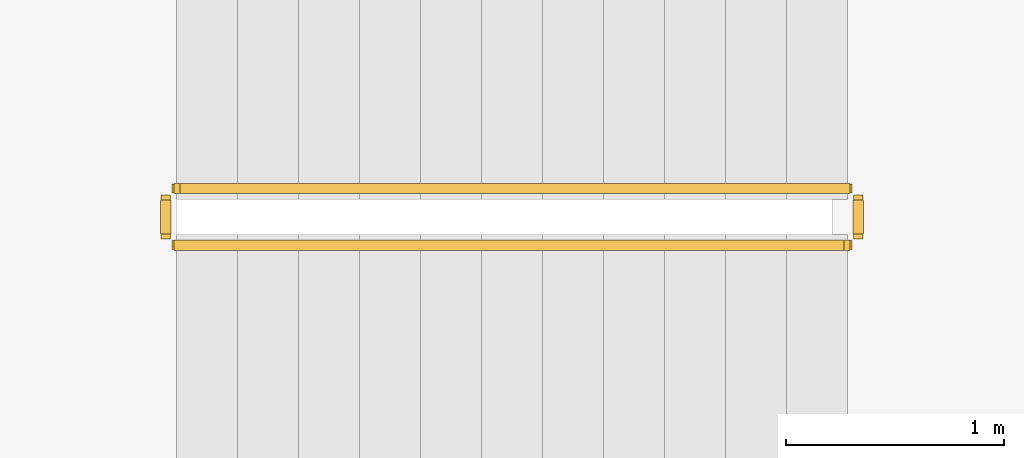
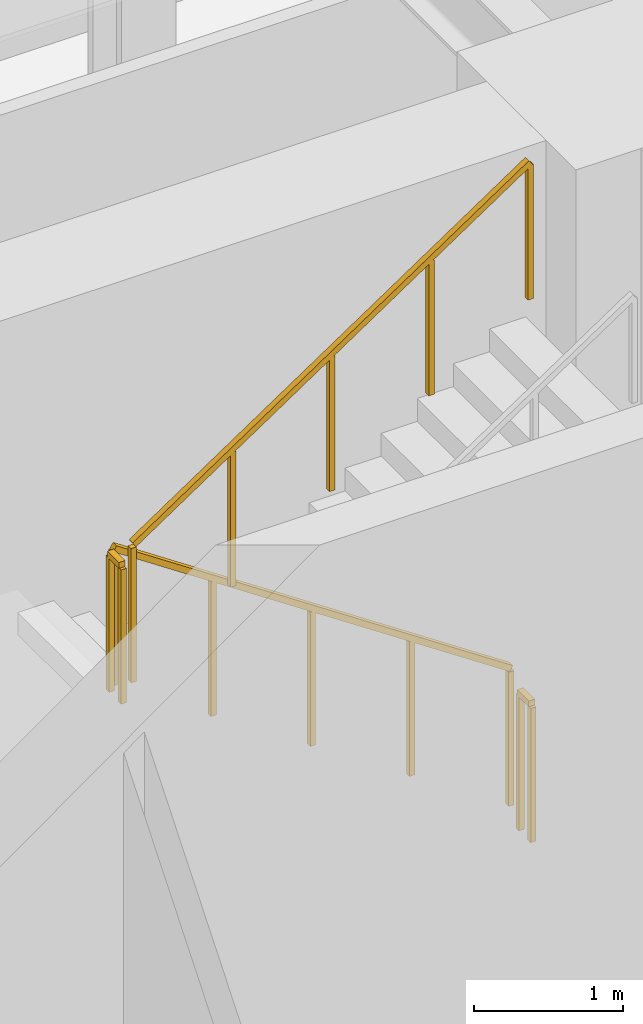
# One storey, part 11 of 14: 4 railings.
"""IFC4 building model written with IfcOpenShell, lengths in metres."""

from ifc_helpers import new_model, si_unit, direction, frame, origin, origin_2d, place, context, subcontext, project, spatial, rectangle, extrude, material, type_object, element, save


model = new_model("IFC4")

# Units and contexts
model_context = context("Model", 3, precision=1e-05, world=origin(), true_north=direction((0.0, 1.0)))
body_context = subcontext(model_context, "Body", "Model", "MODEL_VIEW")
ifc_project = project(units=[si_unit("LENGTHUNIT", "METRE"), si_unit("AREAUNIT", "SQUARE_METRE"), si_unit("VOLUMEUNIT", "CUBIC_METRE"), si_unit("PLANEANGLEUNIT", "RADIAN"), si_unit("MASSUNIT", "GRAM", prefix="KILO")], contexts=[model_context])

# Site, building, storey
site_placement = place(None, origin())
site = spatial("IfcSite", under=ifc_project, at=site_placement, CompositionType="ELEMENT")
building_placement = place(site_placement, origin())
building = spatial("IfcBuilding", under=site, at=building_placement, Name="Zarnavel Station Tower", CompositionType="ELEMENT")
storey_placement = place(building_placement, frame((0.0, 0.0, 10.39990234375)))
storey = spatial("IfcBuildingStorey", under=building, at=storey_placement, Name="L03", CompositionType="ELEMENT", Elevation=10.39990234375)

# Railings
ifc_material = material(Name="Painted Steel S355J2 Balustrade", Category="steel")
railing_type = type_object("IfcRailingType", Name="GR_INT_1150", PredefinedType="GUARDRAIL", material=ifc_material)
railing_1_placement = place(storey_placement, frame((19.47998046875, 35.3701171875, 0.1875)))
element("IfcRailing", 1, at=railing_1_placement, inside=storey, type_object=railing_type, Name="L03 ST1 stair guard 1", PredefinedType="GUARDRAIL", context=body_context, shape_type="SweptSolid", body=[
    extrude(rectangle(XDim=0.048095703125, YDim=0.048095703125, at=origin_2d()), frame((-0.001708984375, 0.0, 1.126953125), z_axis=(-0.830913701846, 0.0, 0.55640131208), x_axis=(0.0, -1.0, 0.0)), (0.0, 0.0, 1.0), 3.702880859375),
    extrude(rectangle(XDim=0.0419921875, YDim=0.0419921875, at=origin_2d()), origin(), (0.0, 0.0, 1.0), 1.101806640625),
    extrude(rectangle(XDim=0.0419921875, YDim=0.0419921875, at=origin_2d()), frame((-0.77001953125, 0.0, 0.515625)), (0.0, 0.0, 1.0), 1.101806640625),
    extrude(rectangle(XDim=0.0419921875, YDim=0.0419921875, at=origin_2d()), frame((-1.5400390625, 0.0, 1.03125)), (0.0, 0.0, 1.0), 1.101806640625),
    extrude(rectangle(XDim=0.0419921875, YDim=0.0419921875, at=origin_2d()), frame((-2.31005859375, 0.0, 1.546875)), (0.0, 0.0, 1.0), 1.101806640625),
    extrude(rectangle(XDim=0.0419921875, YDim=0.0419921875, at=origin_2d()), frame((-3.080078125, 0.0, 2.0625)), (0.0, 0.0, 1.0), 1.101806640625),
])
railing_2_placement = place(storey_placement, frame((16.35009765625, 35.320068359375, 2.25)))
element("IfcRailing", 2, at=railing_2_placement, inside=storey, type_object=railing_type, Name="L03 ST1 stair guard 2", PredefinedType="GUARDRAIL", context=body_context, shape_type="SweptSolid", body=[
    extrude(rectangle(XDim=0.048095703125, YDim=0.048095703125, at=origin_2d()), frame((0.0, -0.001953125, 1.1259765625), z_axis=(0.0, -1.0, 0.0), x_axis=(1.0, 0.0, 0.0)), (0.0, 0.0, 1.0), 0.15625),
    extrude(rectangle(XDim=0.0419921875, YDim=0.0419921875, at=origin_2d()), origin(), (0.0, 0.0, 1.0), 1.101806640625),
    extrude(rectangle(XDim=0.0419921875, YDim=0.0419921875, at=origin_2d()), frame((0.0, -0.16015625, 0.0)), (0.0, 0.0, 1.0), 1.101806640625),
])
railing_3_placement = place(storey_placement, frame((16.39990234375, 35.110107421875, 2.4375)))
element("IfcRailing", 3, at=railing_3_placement, inside=storey, type_object=railing_type, Name="L03 ST1 stair guard 3", PredefinedType="GUARDRAIL", context=body_context, shape_type="SweptSolid", body=[
    extrude(rectangle(XDim=0.048095703125, YDim=0.048095703125, at=origin_2d()), frame((0.001708984375, 0.0, 1.126953125), z_axis=(0.830913701846, 0.0, 0.55640131208), x_axis=(0.0, 1.0, 0.0)), (0.0, 0.0, 1.0), 3.702880859375),
    extrude(rectangle(XDim=0.0419921875, YDim=0.0419921875, at=origin_2d()), origin(), (0.0, 0.0, 1.0), 1.101806640625),
    extrude(rectangle(XDim=0.0419921875, YDim=0.0419921875, at=origin_2d()), frame((0.77001953125, 0.0, 0.515625)), (0.0, 0.0, 1.0), 1.101806640625),
    extrude(rectangle(XDim=0.0419921875, YDim=0.0419921875, at=origin_2d()), frame((1.5400390625, 0.0, 1.03125)), (0.0, 0.0, 1.0), 1.101806640625),
    extrude(rectangle(XDim=0.0419921875, YDim=0.0419921875, at=origin_2d()), frame((2.31005859375, 0.0, 1.546875)), (0.0, 0.0, 1.0), 1.101806640625),
    extrude(rectangle(XDim=0.0419921875, YDim=0.0419921875, at=origin_2d()), frame((3.080078125, 0.0, 2.0625)), (0.0, 0.0, 1.0), 1.101806640625),
])
railing_4_placement = place(storey_placement, frame((19.530029296875, 35.320068359375, 0.0)))
element("IfcRailing", 4, at=railing_4_placement, inside=storey, type_object=railing_type, Name="L03 ST1 stair guard 4", PredefinedType="GUARDRAIL", context=body_context, shape_type="SweptSolid", body=[
    extrude(rectangle(XDim=0.048095703125, YDim=0.048095703125, at=origin_2d()), frame((0.0, -0.001953125, 1.1259765625), z_axis=(0.0, -1.0, 0.0), x_axis=(1.0, 0.0, 0.0)), (0.0, 0.0, 1.0), 0.15625),
    extrude(rectangle(XDim=0.0419921875, YDim=0.0419921875, at=origin_2d()), origin(), (0.0, 0.0, 1.0), 1.101806640625),
    extrude(rectangle(XDim=0.0419921875, YDim=0.0419921875, at=origin_2d()), frame((0.0, -0.16015625, 0.0)), (0.0, 0.0, 1.0), 1.101806640625),
])

save(model, "model.ifc")
